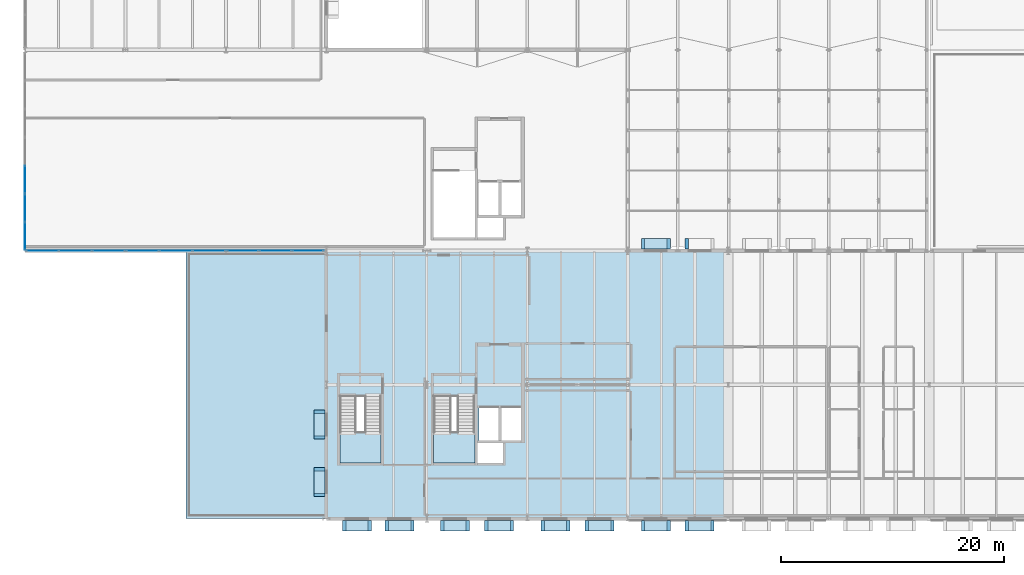
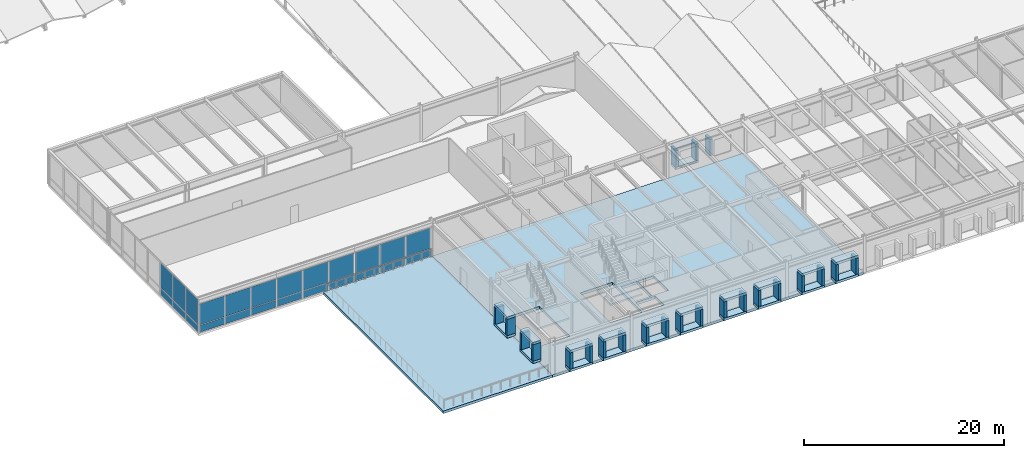
# One storey, part 102 of 142: 69 plates, 4 slabs, 6 elements without a shape of their own.
"""IFC4 building model written with IfcOpenShell, lengths in metres."""

from ifc_helpers import new_model, si_unit, direction, frame, origin, origin_2d, place, context, subcontext, project, spatial, polyline, rectangle, outline, extrude, material, layer, layer_set, type_object, element, aggregate, save


model = new_model("IFC4")

# Units and contexts
model_context = context("Model", 3, precision=1e-05, world=origin(), true_north=direction((0.0, 1.0)))
body_context = subcontext(model_context, "Body", "Model", "MODEL_VIEW")
ifc_project = project(units=[si_unit("LENGTHUNIT", "METRE"), si_unit("AREAUNIT", "SQUARE_METRE"), si_unit("VOLUMEUNIT", "CUBIC_METRE"), si_unit("PLANEANGLEUNIT", "RADIAN"), si_unit("MASSUNIT", "GRAM", prefix="KILO")], contexts=[model_context])

# Site, building, storey
site_placement = place(None, origin())
site = spatial("IfcSite", under=ifc_project, at=site_placement, CompositionType="ELEMENT")
building_placement = place(site_placement, origin())
building = spatial("IfcBuilding", under=site, at=building_placement, Name="Montelvaro Courts of Justice", CompositionType="ELEMENT")
storey_placement = place(building_placement, frame((0.0, 0.0, 14.39990234375)))
storey = spatial("IfcBuildingStorey", under=building, at=storey_placement, Name="L03", CompositionType="ELEMENT", Elevation=14.39990234375)

# Curtain wall, plates
ifc_material_1 = material(Name="Anodised aluminium EN AW-6063", Category="aluminium")
ifc_layer_1 = layer(ifc_material_1, 0.159912109375)
ifc_layer_set_1 = layer_set([ifc_layer_1], Name="Anodised aluminium EN AW-6063")
curtain_wall_type_1 = type_object("IfcCurtainWallType", Name="CurtainWall_28_896x418", PredefinedType="USERDEFINED", material=ifc_layer_set_1)
curtain_wall_1_placement = place(storey_placement, origin())
curtain_wall_1 = element("IfcCurtainWall", 1, at=curtain_wall_1_placement, inside=storey, type_object=curtain_wall_type_1, Name="Curtain Wall CW-28 (L03)", ObjectType="CURTAIN WALL", PredefinedType="USERDEFINED")
ifc_material_2 = material(Name="Low-E solar control double glazing", Category="glass")
ifc_layer_2 = layer(ifc_material_2, 0.028076171875)
ifc_layer_set_2 = layer_set([ifc_layer_2], Name="Low-E solar control double glazing")
plate_type_1 = type_object("IfcPlateType", Name="CurtainWall_Glazed_Panel_28", PredefinedType="CURTAIN_PANEL", material=ifc_layer_set_2)
plate_1_placement = place(storey_placement, frame((19.549560546875, 24.0, 0.06005859375), z_axis=(0.0, 0.0, 1.0), x_axis=(1.0, 0.0, 0.0)))
plate_1 = element("IfcPlate", 2, at=plate_1_placement, type_object=plate_type_1, Name="CW-28 panel 1.1", PredefinedType="CURTAIN_PANEL", context=body_context, shape_type="SweptSolid", body=[
    extrude(rectangle(XDim=2.88916015625, YDim=0.028076171875, at=origin_2d()), origin(), (0.0, 0.0, 1.0), 0.860107421875),
])
plate_2_placement = place(storey_placement, frame((19.549560546875, 24.0, 0.97998046875), z_axis=(0.0, 0.0, 1.0), x_axis=(1.0, 0.0, 0.0)))
plate_2 = element("IfcPlate", 3, at=plate_2_placement, type_object=plate_type_1, Name="CW-28 panel 1.2", PredefinedType="CURTAIN_PANEL", context=body_context, shape_type="SweptSolid", body=[
    extrude(rectangle(XDim=2.88916015625, YDim=0.028076171875, at=origin_2d()), origin(), (0.0, 0.0, 1.0), 2.554931640625),
])
plate_3_placement = place(storey_placement, frame((22.52001953125, 24.0, 0.06005859375), z_axis=(0.0, 0.0, 1.0), x_axis=(1.0, 0.0, 0.0)))
plate_3 = element("IfcPlate", 4, at=plate_3_placement, type_object=plate_type_1, Name="CW-28 panel 2.1", PredefinedType="CURTAIN_PANEL", context=body_context, shape_type="SweptSolid", body=[
    extrude(rectangle(XDim=2.921630859375, YDim=0.028076171875, at=origin_2d()), origin(), (0.0, 0.0, 1.0), 0.860107421875),
])
plate_4_placement = place(storey_placement, frame((22.52001953125, 24.0, 0.97998046875), z_axis=(0.0, 0.0, 1.0), x_axis=(1.0, 0.0, 0.0)))
plate_4 = element("IfcPlate", 5, at=plate_4_placement, type_object=plate_type_1, Name="CW-28 panel 2.2", PredefinedType="CURTAIN_PANEL", context=body_context, shape_type="SweptSolid", body=[
    extrude(rectangle(XDim=2.921630859375, YDim=0.028076171875, at=origin_2d()), origin(), (0.0, 0.0, 1.0), 2.554931640625),
])
plate_5_placement = place(storey_placement, frame((25.490478515625, 24.0, 0.06005859375), z_axis=(0.0, 0.0, 1.0), x_axis=(1.0, 0.0, 0.0)))
plate_5 = element("IfcPlate", 6, at=plate_5_placement, type_object=plate_type_1, Name="CW-28 panel 3.1", PredefinedType="CURTAIN_PANEL", context=body_context, shape_type="SweptSolid", body=[
    extrude(rectangle(XDim=2.88916015625, YDim=0.028076171875, at=origin_2d()), origin(), (0.0, 0.0, 1.0), 0.860107421875),
])
plate_6_placement = place(storey_placement, frame((25.490478515625, 24.0, 0.97998046875), z_axis=(0.0, 0.0, 1.0), x_axis=(1.0, 0.0, 0.0)))
plate_6 = element("IfcPlate", 7, at=plate_6_placement, type_object=plate_type_1, Name="CW-28 panel 3.2", PredefinedType="CURTAIN_PANEL", context=body_context, shape_type="SweptSolid", body=[
    extrude(rectangle(XDim=2.88916015625, YDim=0.028076171875, at=origin_2d()), origin(), (0.0, 0.0, 1.0), 2.554931640625),
])
aggregate(curtain_wall_1, [plate_1, plate_2, plate_3, plate_4, plate_5, plate_6])

ifc_layer_3 = layer(ifc_material_1, 0.159912109375)
ifc_layer_set_3 = layer_set([ifc_layer_3], Name="Anodised aluminium EN AW-6063")
curtain_wall_type_2 = type_object("IfcCurtainWallType", Name="CurtainWall_31_900x418", PredefinedType="USERDEFINED", material=ifc_layer_set_3)
curtain_wall_2_placement = place(storey_placement, origin())
curtain_wall_2 = element("IfcCurtainWall", 8, at=curtain_wall_2_placement, inside=storey, type_object=curtain_wall_type_2, Name="Curtain Wall CW-31 (L03)", ObjectType="CURTAIN WALL", PredefinedType="USERDEFINED")
plate_7_placement = place(storey_placement, frame((28.518798828125, 24.0, 0.06005859375), z_axis=(0.0, 0.0, 1.0), x_axis=(1.0, 0.0, 0.0)))
plate_7 = element("IfcPlate", 9, at=plate_7_placement, type_object=plate_type_1, Name="CW-31 panel 1.1", PredefinedType="CURTAIN_PANEL", context=body_context, shape_type="SweptSolid", body=[
    extrude(rectangle(XDim=2.887451171875, YDim=0.028076171875, at=origin_2d()), origin(), (0.0, 0.0, 1.0), 0.860107421875),
])
plate_8_placement = place(storey_placement, frame((28.518798828125, 24.0, 0.97998046875), z_axis=(0.0, 0.0, 1.0), x_axis=(1.0, 0.0, 0.0)))
plate_8 = element("IfcPlate", 10, at=plate_8_placement, type_object=plate_type_1, Name="CW-31 panel 1.2", PredefinedType="CURTAIN_PANEL", context=body_context, shape_type="SweptSolid", body=[
    extrude(rectangle(XDim=2.887451171875, YDim=0.028076171875, at=origin_2d()), origin(), (0.0, 0.0, 1.0), 2.554931640625),
])
plate_9_placement = place(storey_placement, frame((31.5, 24.0, 0.06005859375), z_axis=(0.0, 0.0, 1.0), x_axis=(1.0, 0.0, 0.0)))
plate_9 = element("IfcPlate", 11, at=plate_9_placement, type_object=plate_type_1, Name="CW-31 panel 2.1", PredefinedType="CURTAIN_PANEL", context=body_context, shape_type="SweptSolid", body=[
    extrude(rectangle(XDim=2.925048828125, YDim=0.028076171875, at=origin_2d()), origin(), (0.0, 0.0, 1.0), 0.860107421875),
])
plate_10_placement = place(storey_placement, frame((31.5, 24.0, 0.97998046875), z_axis=(0.0, 0.0, 1.0), x_axis=(1.0, 0.0, 0.0)))
plate_10 = element("IfcPlate", 12, at=plate_10_placement, type_object=plate_type_1, Name="CW-31 panel 2.2", PredefinedType="CURTAIN_PANEL", context=body_context, shape_type="SweptSolid", body=[
    extrude(rectangle(XDim=2.925048828125, YDim=0.028076171875, at=origin_2d()), origin(), (0.0, 0.0, 1.0), 2.554931640625),
])
plate_11_placement = place(storey_placement, frame((34.481201171875, 24.0, 0.06005859375), z_axis=(0.0, 0.0, 1.0), x_axis=(1.0, 0.0, 0.0)))
plate_11 = element("IfcPlate", 13, at=plate_11_placement, type_object=plate_type_1, Name="CW-31 panel 3.1", PredefinedType="CURTAIN_PANEL", context=body_context, shape_type="SweptSolid", body=[
    extrude(rectangle(XDim=2.887451171875, YDim=0.028076171875, at=origin_2d()), origin(), (0.0, 0.0, 1.0), 0.860107421875),
])
plate_12_placement = place(storey_placement, frame((34.481201171875, 24.0, 0.97998046875), z_axis=(0.0, 0.0, 1.0), x_axis=(1.0, 0.0, 0.0)))
plate_12 = element("IfcPlate", 14, at=plate_12_placement, type_object=plate_type_1, Name="CW-31 panel 3.2", PredefinedType="CURTAIN_PANEL", context=body_context, shape_type="SweptSolid", body=[
    extrude(rectangle(XDim=2.887451171875, YDim=0.028076171875, at=origin_2d()), origin(), (0.0, 0.0, 1.0), 2.554931640625),
])
aggregate(curtain_wall_2, [plate_7, plate_8, plate_9, plate_10, plate_11, plate_12])

ifc_layer_4 = layer(ifc_material_1, 0.159912109375)
ifc_layer_set_4 = layer_set([ifc_layer_4], Name="Anodised aluminium EN AW-6063")
curtain_wall_type_3 = type_object("IfcCurtainWallType", Name="CurtainWall_32_883x418", PredefinedType="USERDEFINED", material=ifc_layer_set_4)
curtain_wall_3_placement = place(storey_placement, origin())
curtain_wall_3 = element("IfcCurtainWall", 15, at=curtain_wall_3_placement, inside=storey, type_object=curtain_wall_type_3, Name="Curtain Wall CW-32 (L03)", ObjectType="CURTAIN WALL", PredefinedType="USERDEFINED")
plate_13_placement = place(storey_placement, frame((37.490966796875, 24.0, 0.0751953125), z_axis=(0.0, 0.0, 1.0), x_axis=(1.0, 0.0, 0.0)))
plate_13 = element("IfcPlate", 16, at=plate_13_placement, type_object=plate_type_1, Name="CW-32 panel 1.1", PredefinedType="CURTAIN_PANEL", context=body_context, shape_type="SweptSolid", body=[
    extrude(rectangle(XDim=2.831787109375, YDim=0.028076171875, at=origin_2d()), origin(), (0.0, 0.0, 1.0), 0.83740234375),
])
plate_14_placement = place(storey_placement, frame((37.490966796875, 24.0, 0.98779296875), z_axis=(0.0, 0.0, 1.0), x_axis=(1.0, 0.0, 0.0)))
plate_14 = element("IfcPlate", 17, at=plate_14_placement, type_object=plate_type_1, Name="CW-32 panel 1.2", PredefinedType="CURTAIN_PANEL", context=body_context, shape_type="SweptSolid", body=[
    extrude(rectangle(XDim=2.831787109375, YDim=0.028076171875, at=origin_2d()), origin(), (0.0, 0.0, 1.0), 2.532470703125),
])
plate_15_placement = place(storey_placement, frame((40.41650390625, 24.0, 0.0751953125), z_axis=(0.0, 0.0, 1.0), x_axis=(1.0, 0.0, 0.0)))
plate_15 = element("IfcPlate", 18, at=plate_15_placement, type_object=plate_type_1, Name="CW-32 panel 2.1", PredefinedType="CURTAIN_PANEL", context=body_context, shape_type="SweptSolid", body=[
    extrude(rectangle(XDim=2.869384765625, YDim=0.028076171875, at=origin_2d()), origin(), (0.0, 0.0, 1.0), 0.83740234375),
])
plate_16_placement = place(storey_placement, frame((40.41650390625, 24.0, 0.98779296875), z_axis=(0.0, 0.0, 1.0), x_axis=(1.0, 0.0, 0.0)))
plate_16 = element("IfcPlate", 19, at=plate_16_placement, type_object=plate_type_1, Name="CW-32 panel 2.2", PredefinedType="CURTAIN_PANEL", context=body_context, shape_type="SweptSolid", body=[
    extrude(rectangle(XDim=2.869384765625, YDim=0.028076171875, at=origin_2d()), origin(), (0.0, 0.0, 1.0), 2.532470703125),
])
plate_17_placement = place(storey_placement, frame((43.342041015625, 24.0, 0.0751953125), z_axis=(0.0, 0.0, 1.0), x_axis=(1.0, 0.0, 0.0)))
plate_17 = element("IfcPlate", 20, at=plate_17_placement, type_object=plate_type_1, Name="CW-32 panel 3.1", PredefinedType="CURTAIN_PANEL", context=body_context, shape_type="SweptSolid", body=[
    extrude(rectangle(XDim=2.831787109375, YDim=0.028076171875, at=origin_2d()), origin(), (0.0, 0.0, 1.0), 0.83740234375),
])
plate_18_placement = place(storey_placement, frame((43.342041015625, 24.0, 0.98779296875), z_axis=(0.0, 0.0, 1.0), x_axis=(1.0, 0.0, 0.0)))
plate_18 = element("IfcPlate", 21, at=plate_18_placement, type_object=plate_type_1, Name="CW-32 panel 3.2", PredefinedType="CURTAIN_PANEL", context=body_context, shape_type="SweptSolid", body=[
    extrude(rectangle(XDim=2.831787109375, YDim=0.028076171875, at=origin_2d()), origin(), (0.0, 0.0, 1.0), 2.532470703125),
])
aggregate(curtain_wall_3, [plate_13, plate_14, plate_15, plate_16, plate_17, plate_18])

ifc_layer_5 = layer(ifc_material_1, 0.159912109375)
ifc_layer_set_5 = layer_set([ifc_layer_5], Name="Anodised aluminium EN AW-6063")
curtain_wall_type_4 = type_object("IfcCurtainWallType", Name="CurtainWall_29_1770x418", PredefinedType="USERDEFINED", material=ifc_layer_set_5)
curtain_wall_4_placement = place(storey_placement, origin())
curtain_wall_4 = element("IfcCurtainWall", 22, at=curtain_wall_4_placement, inside=storey, type_object=curtain_wall_type_4, Name="Curtain Wall CW-29 (L03)", ObjectType="CURTAIN WALL", PredefinedType="USERDEFINED")
plate_19_placement = place(storey_placement, frame((18.0, 30.36865234375, 0.0751953125), z_axis=(0.0, 0.0, 1.0), x_axis=(0.0, -1.0, 0.0)))
plate_19 = element("IfcPlate", 23, at=plate_19_placement, type_object=plate_type_1, Name="CW-29 panel 5.1", PredefinedType="CURTAIN_PANEL", context=body_context, shape_type="SweptSolid", body=[
    extrude(rectangle(XDim=2.45654296875, YDim=0.028076171875, at=origin_2d()), origin(), (0.0, 0.0, 1.0), 0.83740234375),
])
plate_20_placement = place(storey_placement, frame((18.0, 30.36865234375, 0.987548828125), z_axis=(0.0, 0.0, 1.0), x_axis=(0.0, -1.0, 0.0)))
plate_20 = element("IfcPlate", 24, at=plate_20_placement, type_object=plate_type_1, Name="CW-29 panel 5.2", PredefinedType="CURTAIN_PANEL", context=body_context, shape_type="SweptSolid", body=[
    extrude(rectangle(XDim=2.45654296875, YDim=0.028076171875, at=origin_2d()), origin(), (0.0, 0.0, 1.0), 3.0576171875),
])
plate_21_placement = place(storey_placement, frame((18.0, 27.837158203125, 0.0751953125), z_axis=(0.0, 0.0, 1.0), x_axis=(0.0, -1.0, 0.0)))
plate_21 = element("IfcPlate", 25, at=plate_21_placement, type_object=plate_type_1, Name="CW-29 panel 6.1", PredefinedType="CURTAIN_PANEL", context=body_context, shape_type="SweptSolid", body=[
    extrude(rectangle(XDim=2.45654296875, YDim=0.028076171875, at=origin_2d()), origin(), (0.0, 0.0, 1.0), 0.83740234375),
])
plate_22_placement = place(storey_placement, frame((18.0, 27.837158203125, 0.987548828125), z_axis=(0.0, 0.0, 1.0), x_axis=(0.0, -1.0, 0.0)))
plate_22 = element("IfcPlate", 26, at=plate_22_placement, type_object=plate_type_1, Name="CW-29 panel 6.2", PredefinedType="CURTAIN_PANEL", context=body_context, shape_type="SweptSolid", body=[
    extrude(rectangle(XDim=2.45654296875, YDim=0.028076171875, at=origin_2d()), origin(), (0.0, 0.0, 1.0), 3.0576171875),
])
plate_23_placement = place(storey_placement, frame((18.0, 25.324462890625, 0.0751953125), z_axis=(0.0, 0.0, 1.0), x_axis=(0.0, -1.0, 0.0)))
plate_23 = element("IfcPlate", 27, at=plate_23_placement, type_object=plate_type_1, Name="CW-29 panel 7.1", PredefinedType="CURTAIN_PANEL", context=body_context, shape_type="SweptSolid", body=[
    extrude(rectangle(XDim=2.4189453125, YDim=0.028076171875, at=origin_2d()), origin(), (0.0, 0.0, 1.0), 0.83740234375),
])
plate_24_placement = place(storey_placement, frame((18.0, 25.324462890625, 0.987548828125), z_axis=(0.0, 0.0, 1.0), x_axis=(0.0, -1.0, 0.0)))
plate_24 = element("IfcPlate", 28, at=plate_24_placement, type_object=plate_type_1, Name="CW-29 panel 7.2", PredefinedType="CURTAIN_PANEL", context=body_context, shape_type="SweptSolid", body=[
    extrude(rectangle(XDim=2.4189453125, YDim=0.028076171875, at=origin_2d()), origin(), (0.0, 0.0, 1.0), 3.0576171875),
])
aggregate(curtain_wall_4, [plate_19, plate_20, plate_21, plate_22, plate_23, plate_24])

# Slab
ifc_material_3 = material(Name="Concrete C35/45", Category="concrete")
ifc_layer_6 = layer(ifc_material_3, 0.320068359375)
ifc_layer_set_6 = layer_set([ifc_layer_6], Name="Concrete C35/45")
slab_type_1 = type_object("IfcSlabType", Name="FloorSlab_V5_320", PredefinedType="FLOOR", material=ifc_layer_set_6)
slab_1_placement = place(storey_placement, frame((0.0, 0.0, -0.31982421875)))
element("IfcSlab", 29, at=slab_1_placement, inside=storey, type_object=slab_type_1, Name="Structural Slab SF-05 L03", PredefinedType="FLOOR", context=body_context, shape_type="SweptSolid", body=[
    extrude(outline(polyline([(45.0, 0.0), (80.949951171875, 0.0), (80.949951171875, 24.0), (45.0, 24.0), (45.0, 0.0)]), holes=[polyline([(54.60009765625, 5.0), (58.300048828125, 5.0), (58.300048828125, 11.0), (54.60009765625, 11.0), (54.60009765625, 5.0)]), polyline([(58.5400390625, 5.0), (60.800048828125, 5.0), (60.800048828125, 6.760009765625), (58.5400390625, 6.760009765625), (58.5400390625, 5.0)]), polyline([(58.64990234375, 7.0), (60.5, 7.0), (60.5, 9.89990234375), (58.64990234375, 9.89990234375), (58.64990234375, 7.0)]), polyline([(60.60009765625, 7.0), (62.449951171875, 7.0), (62.449951171875, 9.89990234375), (60.60009765625, 9.89990234375), (60.60009765625, 7.0)]), polyline([(46.199951171875, 5.0), (49.89990234375, 5.0), (49.89990234375, 11.0), (46.199951171875, 11.0), (46.199951171875, 5.0)])]), origin(), (0.0, 0.0, 1.0), 0.31982421875),
])

# Plates
ifc_material_4 = material(Name="White mineral precast concrete C45/55", Category="concrete")
ifc_layer_7 = layer(ifc_material_4, 0.300048828125)
ifc_layer_set_7 = layer_set([ifc_layer_7], Name="White mineral precast concrete C45/55")
plate_type_2 = type_object("IfcPlateType", Name="PrecastSquareFrame_300x950", PredefinedType="SHEET", material=ifc_layer_set_7)
for number, where, z_axis, x_axis, name in (
    (30, (47.739990234375, -0.6201171875, 2.85009765625), (0.0, 0.0, 1.0), (1.0, 0.0, 0.0), "Graduated Square Window Frame PF-02 W-L03-149 TOP"),
    (31, (47.739990234375, -0.6201171875, 0.55029296875), (0.0, 0.0, 1.0), (1.0, 0.0, 0.0), "Graduated Square Window Frame PF-02 W-L03-149 BOT"),
):
    element("IfcPlate", number, at=place(storey_placement, frame(where, z_axis=z_axis, x_axis=x_axis)), inside=storey, type_object=plate_type_2, Name=name, PredefinedType="SHEET", context=body_context, shape_type="SweptSolid", body=[
        extrude(rectangle(XDim=2.60009765625, YDim=0.9599609375, at=origin_2d()), origin(), (0.0, 0.0, 1.0), 0.300048828125),
    ])
for number, where, z_axis, x_axis, name in (
    (32, (46.590087890625, -0.6201171875, 0.85009765625), (0.0, 0.0, 1.0), (1.0, 0.0, 0.0), "Graduated Square Window Frame PF-02 W-L03-149 L"),
    (33, (48.889892578125, -0.6201171875, 0.85009765625), (0.0, 0.0, 1.0), (1.0, 0.0, 0.0), "Graduated Square Window Frame PF-02 W-L03-149 R"),
):
    element("IfcPlate", number, at=place(storey_placement, frame(where, z_axis=z_axis, x_axis=x_axis)), inside=storey, type_object=plate_type_2, Name=name, PredefinedType="SHEET", context=body_context, shape_type="SweptSolid", body=[
        extrude(rectangle(XDim=0.300048828125, YDim=0.9599609375, at=origin_2d()), origin(), (0.0, 0.0, 1.0), 2.0),
    ])
for number, where, z_axis, x_axis, name in (
    (34, (51.56005859375, -0.6201171875, 2.85009765625), (0.0, 0.0, 1.0), (1.0, 0.0, 0.0), "Graduated Square Window Frame PF-02 W-L03-150 TOP"),
    (35, (51.56005859375, -0.6201171875, 0.55029296875), (0.0, 0.0, 1.0), (1.0, 0.0, 0.0), "Graduated Square Window Frame PF-02 W-L03-150 BOT"),
):
    element("IfcPlate", number, at=place(storey_placement, frame(where, z_axis=z_axis, x_axis=x_axis)), inside=storey, type_object=plate_type_2, Name=name, PredefinedType="SHEET", context=body_context, shape_type="SweptSolid", body=[
        extrude(rectangle(XDim=2.60009765625, YDim=0.9599609375, at=origin_2d()), origin(), (0.0, 0.0, 1.0), 0.300048828125),
    ])
for number, where, z_axis, x_axis, name in (
    (36, (50.409912109375, -0.6201171875, 0.85009765625), (0.0, 0.0, 1.0), (1.0, 0.0, 0.0), "Graduated Square Window Frame PF-02 W-L03-150 L"),
    (37, (52.7099609375, -0.6201171875, 0.85009765625), (0.0, 0.0, 1.0), (1.0, 0.0, 0.0), "Graduated Square Window Frame PF-02 W-L03-150 R"),
):
    element("IfcPlate", number, at=place(storey_placement, frame(where, z_axis=z_axis, x_axis=x_axis)), inside=storey, type_object=plate_type_2, Name=name, PredefinedType="SHEET", context=body_context, shape_type="SweptSolid", body=[
        extrude(rectangle(XDim=0.300048828125, YDim=0.9599609375, at=origin_2d()), origin(), (0.0, 0.0, 1.0), 2.0),
    ])
for number, where, z_axis, x_axis, name in (
    (38, (56.52392578125, -0.6201171875, 2.85009765625), (0.0, 0.0, 1.0), (1.0, 0.0, 0.0), "Graduated Square Window Frame PF-02 W-L03-151 TOP"),
    (39, (56.52392578125, -0.6201171875, 0.55029296875), (0.0, 0.0, 1.0), (1.0, 0.0, 0.0), "Graduated Square Window Frame PF-02 W-L03-151 BOT"),
):
    element("IfcPlate", number, at=place(storey_placement, frame(where, z_axis=z_axis, x_axis=x_axis)), inside=storey, type_object=plate_type_2, Name=name, PredefinedType="SHEET", context=body_context, shape_type="SweptSolid", body=[
        extrude(rectangle(XDim=2.60009765625, YDim=0.9599609375, at=origin_2d()), origin(), (0.0, 0.0, 1.0), 0.300048828125),
    ])
for number, where, z_axis, x_axis, name in (
    (40, (55.3740234375, -0.6201171875, 0.85009765625), (0.0, 0.0, 1.0), (1.0, 0.0, 0.0), "Graduated Square Window Frame PF-02 W-L03-151 L"),
    (41, (57.674072265625, -0.6201171875, 0.85009765625), (0.0, 0.0, 1.0), (1.0, 0.0, 0.0), "Graduated Square Window Frame PF-02 W-L03-151 R"),
):
    element("IfcPlate", number, at=place(storey_placement, frame(where, z_axis=z_axis, x_axis=x_axis)), inside=storey, type_object=plate_type_2, Name=name, PredefinedType="SHEET", context=body_context, shape_type="SweptSolid", body=[
        extrude(rectangle(XDim=0.300048828125, YDim=0.9599609375, at=origin_2d()), origin(), (0.0, 0.0, 1.0), 2.0),
    ])
for number, where, z_axis, x_axis, name in (
    (42, (60.47607421875, -0.6201171875, 2.85009765625), (0.0, 0.0, 1.0), (1.0, 0.0, 0.0), "Graduated Square Window Frame PF-02 W-L03-152 TOP"),
    (43, (60.47607421875, -0.6201171875, 0.55029296875), (0.0, 0.0, 1.0), (1.0, 0.0, 0.0), "Graduated Square Window Frame PF-02 W-L03-152 BOT"),
):
    element("IfcPlate", number, at=place(storey_placement, frame(where, z_axis=z_axis, x_axis=x_axis)), inside=storey, type_object=plate_type_2, Name=name, PredefinedType="SHEET", context=body_context, shape_type="SweptSolid", body=[
        extrude(rectangle(XDim=2.60009765625, YDim=0.9599609375, at=origin_2d()), origin(), (0.0, 0.0, 1.0), 0.300048828125),
    ])
for number, where, z_axis, x_axis, name in (
    (44, (59.325927734375, -0.6201171875, 0.85009765625), (0.0, 0.0, 1.0), (1.0, 0.0, 0.0), "Graduated Square Window Frame PF-02 W-L03-152 L"),
    (45, (61.6259765625, -0.6201171875, 0.85009765625), (0.0, 0.0, 1.0), (1.0, 0.0, 0.0), "Graduated Square Window Frame PF-02 W-L03-152 R"),
):
    element("IfcPlate", number, at=place(storey_placement, frame(where, z_axis=z_axis, x_axis=x_axis)), inside=storey, type_object=plate_type_2, Name=name, PredefinedType="SHEET", context=body_context, shape_type="SweptSolid", body=[
        extrude(rectangle(XDim=0.300048828125, YDim=0.9599609375, at=origin_2d()), origin(), (0.0, 0.0, 1.0), 2.0),
    ])
for number, where, z_axis, x_axis, name in (
    (46, (65.52392578125, -0.6201171875, 2.85009765625), (0.0, 0.0, 1.0), (1.0, 0.0, 0.0), "Graduated Square Window Frame PF-02 W-L03-153 TOP"),
    (47, (65.52392578125, -0.6201171875, 0.55029296875), (0.0, 0.0, 1.0), (1.0, 0.0, 0.0), "Graduated Square Window Frame PF-02 W-L03-153 BOT"),
):
    element("IfcPlate", number, at=place(storey_placement, frame(where, z_axis=z_axis, x_axis=x_axis)), inside=storey, type_object=plate_type_2, Name=name, PredefinedType="SHEET", context=body_context, shape_type="SweptSolid", body=[
        extrude(rectangle(XDim=2.60009765625, YDim=0.9599609375, at=origin_2d()), origin(), (0.0, 0.0, 1.0), 0.300048828125),
    ])
for number, where, z_axis, x_axis, name in (
    (48, (64.3740234375, -0.6201171875, 0.85009765625), (0.0, 0.0, 1.0), (1.0, 0.0, 0.0), "Graduated Square Window Frame PF-02 W-L03-153 L"),
    (49, (66.674072265625, -0.6201171875, 0.85009765625), (0.0, 0.0, 1.0), (1.0, 0.0, 0.0), "Graduated Square Window Frame PF-02 W-L03-153 R"),
):
    element("IfcPlate", number, at=place(storey_placement, frame(where, z_axis=z_axis, x_axis=x_axis)), inside=storey, type_object=plate_type_2, Name=name, PredefinedType="SHEET", context=body_context, shape_type="SweptSolid", body=[
        extrude(rectangle(XDim=0.300048828125, YDim=0.9599609375, at=origin_2d()), origin(), (0.0, 0.0, 1.0), 2.0),
    ])
for number, where, z_axis, x_axis, name in (
    (50, (69.47607421875, -0.6201171875, 2.85009765625), (0.0, 0.0, 1.0), (1.0, 0.0, 0.0), "Graduated Square Window Frame PF-02 W-L03-154 TOP"),
    (51, (69.47607421875, -0.6201171875, 0.55029296875), (0.0, 0.0, 1.0), (1.0, 0.0, 0.0), "Graduated Square Window Frame PF-02 W-L03-154 BOT"),
):
    element("IfcPlate", number, at=place(storey_placement, frame(where, z_axis=z_axis, x_axis=x_axis)), inside=storey, type_object=plate_type_2, Name=name, PredefinedType="SHEET", context=body_context, shape_type="SweptSolid", body=[
        extrude(rectangle(XDim=2.60009765625, YDim=0.9599609375, at=origin_2d()), origin(), (0.0, 0.0, 1.0), 0.300048828125),
    ])
for number, where, z_axis, x_axis, name in (
    (52, (68.325927734375, -0.6201171875, 0.85009765625), (0.0, 0.0, 1.0), (1.0, 0.0, 0.0), "Graduated Square Window Frame PF-02 W-L03-154 L"),
    (53, (70.6259765625, -0.6201171875, 0.85009765625), (0.0, 0.0, 1.0), (1.0, 0.0, 0.0), "Graduated Square Window Frame PF-02 W-L03-154 R"),
):
    element("IfcPlate", number, at=place(storey_placement, frame(where, z_axis=z_axis, x_axis=x_axis)), inside=storey, type_object=plate_type_2, Name=name, PredefinedType="SHEET", context=body_context, shape_type="SweptSolid", body=[
        extrude(rectangle(XDim=0.300048828125, YDim=0.9599609375, at=origin_2d()), origin(), (0.0, 0.0, 1.0), 2.0),
    ])
for number, where, z_axis, x_axis, name in (
    (54, (74.510009765625, -0.6201171875, 2.85009765625), (0.0, 0.0, 1.0), (1.0, 0.0, 0.0), "Graduated Square Window Frame PF-02 W-L03-155 TOP"),
    (55, (74.510009765625, -0.6201171875, 0.55029296875), (0.0, 0.0, 1.0), (1.0, 0.0, 0.0), "Graduated Square Window Frame PF-02 W-L03-155 BOT"),
):
    element("IfcPlate", number, at=place(storey_placement, frame(where, z_axis=z_axis, x_axis=x_axis)), inside=storey, type_object=plate_type_2, Name=name, PredefinedType="SHEET", context=body_context, shape_type="SweptSolid", body=[
        extrude(rectangle(XDim=2.60009765625, YDim=0.9599609375, at=origin_2d()), origin(), (0.0, 0.0, 1.0), 0.300048828125),
    ])
for number, where, z_axis, x_axis, name in (
    (56, (73.360107421875, -0.6201171875, 0.85009765625), (0.0, 0.0, 1.0), (1.0, 0.0, 0.0), "Graduated Square Window Frame PF-02 W-L03-155 L"),
    (57, (75.659912109375, -0.6201171875, 0.85009765625), (0.0, 0.0, 1.0), (1.0, 0.0, 0.0), "Graduated Square Window Frame PF-02 W-L03-155 R"),
):
    element("IfcPlate", number, at=place(storey_placement, frame(where, z_axis=z_axis, x_axis=x_axis)), inside=storey, type_object=plate_type_2, Name=name, PredefinedType="SHEET", context=body_context, shape_type="SweptSolid", body=[
        extrude(rectangle(XDim=0.300048828125, YDim=0.9599609375, at=origin_2d()), origin(), (0.0, 0.0, 1.0), 2.0),
    ])
for number, where, z_axis, x_axis, name in (
    (58, (78.43994140625, -0.6201171875, 2.85009765625), (0.0, 0.0, 1.0), (1.0, 0.0, 0.0), "Graduated Square Window Frame PF-02 W-L03-156 TOP"),
    (59, (78.43994140625, -0.6201171875, 0.55029296875), (0.0, 0.0, 1.0), (1.0, 0.0, 0.0), "Graduated Square Window Frame PF-02 W-L03-156 BOT"),
):
    element("IfcPlate", number, at=place(storey_placement, frame(where, z_axis=z_axis, x_axis=x_axis)), inside=storey, type_object=plate_type_2, Name=name, PredefinedType="SHEET", context=body_context, shape_type="SweptSolid", body=[
        extrude(rectangle(XDim=2.60009765625, YDim=0.9599609375, at=origin_2d()), origin(), (0.0, 0.0, 1.0), 0.300048828125),
    ])
for number, where, z_axis, x_axis, name in (
    (60, (77.2900390625, -0.6201171875, 0.85009765625), (0.0, 0.0, 1.0), (1.0, 0.0, 0.0), "Graduated Square Window Frame PF-02 W-L03-156 L"),
    (61, (79.590087890625, -0.6201171875, 0.85009765625), (0.0, 0.0, 1.0), (1.0, 0.0, 0.0), "Graduated Square Window Frame PF-02 W-L03-156 R"),
    (62, (77.2900390625, 24.6201171875, 0.85009765625), (0.0, 0.0, 1.0), (-1.0, 0.0, 0.0), "Graduated Square Window Frame PF-02 W-L03-157 R"),
):
    element("IfcPlate", number, at=place(storey_placement, frame(where, z_axis=z_axis, x_axis=x_axis)), inside=storey, type_object=plate_type_2, Name=name, PredefinedType="SHEET", context=body_context, shape_type="SweptSolid", body=[
        extrude(rectangle(XDim=0.300048828125, YDim=0.9599609375, at=origin_2d()), origin(), (0.0, 0.0, 1.0), 2.0),
    ])
for number, where, z_axis, x_axis, name in (
    (63, (74.510009765625, 24.6201171875, 2.85009765625), (0.0, 0.0, 1.0), (-1.0, 0.0, 0.0), "Graduated Square Window Frame PF-02 W-L03-158 TOP"),
    (64, (74.510009765625, 24.6201171875, 0.55029296875), (0.0, 0.0, 1.0), (-1.0, 0.0, 0.0), "Graduated Square Window Frame PF-02 W-L03-158 BOT"),
):
    element("IfcPlate", number, at=place(storey_placement, frame(where, z_axis=z_axis, x_axis=x_axis)), inside=storey, type_object=plate_type_2, Name=name, PredefinedType="SHEET", context=body_context, shape_type="SweptSolid", body=[
        extrude(rectangle(XDim=2.60009765625, YDim=0.9599609375, at=origin_2d()), origin(), (0.0, 0.0, 1.0), 0.300048828125),
    ])
for number, where, z_axis, x_axis, name in (
    (65, (75.659912109375, 24.6201171875, 0.85009765625), (0.0, 0.0, 1.0), (-1.0, 0.0, 0.0), "Graduated Square Window Frame PF-02 W-L03-158 L"),
    (66, (73.360107421875, 24.6201171875, 0.85009765625), (0.0, 0.0, 1.0), (-1.0, 0.0, 0.0), "Graduated Square Window Frame PF-02 W-L03-158 R"),
):
    element("IfcPlate", number, at=place(storey_placement, frame(where, z_axis=z_axis, x_axis=x_axis)), inside=storey, type_object=plate_type_2, Name=name, PredefinedType="SHEET", context=body_context, shape_type="SweptSolid", body=[
        extrude(rectangle(XDim=0.300048828125, YDim=0.9599609375, at=origin_2d()), origin(), (0.0, 0.0, 1.0), 2.0),
    ])
for number, where, z_axis, x_axis, name in (
    (67, (44.3798828125, 8.419921875, 2.85009765625), (0.0, 0.0, 1.0), (0.0, -1.0, 0.0), "Graduated Square Window Frame PF-02 W-L03-159 TOP"),
    (68, (44.3798828125, 8.419921875, 0.55029296875), (0.0, 0.0, 1.0), (0.0, -1.0, 0.0), "Graduated Square Window Frame PF-02 W-L03-159 BOT"),
):
    element("IfcPlate", number, at=place(storey_placement, frame(where, z_axis=z_axis, x_axis=x_axis)), inside=storey, type_object=plate_type_2, Name=name, PredefinedType="SHEET", context=body_context, shape_type="SweptSolid", body=[
        extrude(rectangle(XDim=2.60009765625, YDim=0.9599609375, at=origin_2d()), origin(), (0.0, 0.0, 1.0), 0.300048828125),
    ])
for number, where, z_axis, x_axis, name in (
    (69, (44.3798828125, 9.570068359375, 0.85009765625), (0.0, 0.0, 1.0), (0.0, -1.0, 0.0), "Graduated Square Window Frame PF-02 W-L03-159 L"),
    (70, (44.3798828125, 7.27001953125, 0.85009765625), (0.0, 0.0, 1.0), (0.0, -1.0, 0.0), "Graduated Square Window Frame PF-02 W-L03-159 R"),
):
    element("IfcPlate", number, at=place(storey_placement, frame(where, z_axis=z_axis, x_axis=x_axis)), inside=storey, type_object=plate_type_2, Name=name, PredefinedType="SHEET", context=body_context, shape_type="SweptSolid", body=[
        extrude(rectangle(XDim=0.300048828125, YDim=0.9599609375, at=origin_2d()), origin(), (0.0, 0.0, 1.0), 2.0),
    ])
for number, where, z_axis, x_axis, name in (
    (71, (44.3798828125, 3.280029296875, 2.85009765625), (0.0, 0.0, 1.0), (0.0, -1.0, 0.0), "Graduated Square Window Frame PF-02 W-L03-160 TOP"),
    (72, (44.3798828125, 3.280029296875, 0.55029296875), (0.0, 0.0, 1.0), (0.0, -1.0, 0.0), "Graduated Square Window Frame PF-02 W-L03-160 BOT"),
):
    element("IfcPlate", number, at=place(storey_placement, frame(where, z_axis=z_axis, x_axis=x_axis)), inside=storey, type_object=plate_type_2, Name=name, PredefinedType="SHEET", context=body_context, shape_type="SweptSolid", body=[
        extrude(rectangle(XDim=2.60009765625, YDim=0.9599609375, at=origin_2d()), origin(), (0.0, 0.0, 1.0), 0.300048828125),
    ])
for number, where, z_axis, x_axis, name in (
    (73, (44.3798828125, 4.429931640625, 0.85009765625), (0.0, 0.0, 1.0), (0.0, -1.0, 0.0), "Graduated Square Window Frame PF-02 W-L03-160 L"),
    (74, (44.3798828125, 2.1298828125, 0.85009765625), (0.0, 0.0, 1.0), (0.0, -1.0, 0.0), "Graduated Square Window Frame PF-02 W-L03-160 R"),
):
    element("IfcPlate", number, at=place(storey_placement, frame(where, z_axis=z_axis, x_axis=x_axis)), inside=storey, type_object=plate_type_2, Name=name, PredefinedType="SHEET", context=body_context, shape_type="SweptSolid", body=[
        extrude(rectangle(XDim=0.300048828125, YDim=0.9599609375, at=origin_2d()), origin(), (0.0, 0.0, 1.0), 2.0),
    ])

# Stair, slab
stair_type_1 = type_object("IfcStairType", Name="ProtectedStair_155", PredefinedType="HALF_TURN_STAIR", material=ifc_material_3)
stair_1_placement = place(storey_placement, origin())
stair_1 = element("IfcStair", 75, at=stair_1_placement, inside=storey, type_object=stair_type_1, Name="Protected Stair ST-K1-L03", PredefinedType="HALF_TURN_STAIR")
ifc_layer_8 = layer(ifc_material_3, 0.199951171875)
ifc_layer_set_8 = layer_set([ifc_layer_8], Name="Concrete C35/45")
slab_type_2 = type_object("IfcSlabType", Name="StairLanding_200", PredefinedType="LANDING", material=ifc_layer_set_8)
slab_2_placement = place(storey_placement, frame((0.0, 0.0, 2.050048828125)))
slab_2 = element("IfcSlab", 76, at=slab_2_placement, type_object=slab_type_2, Name="ST-K1-L03 landing 1", PredefinedType="LANDING", context=body_context, shape_type="SweptSolid", body=[
    extrude(outline(polyline([(54.60009765625, 5.0), (58.300048828125, 5.0), (58.300048828125, 7.735107421875), (54.60009765625, 7.735107421875), (54.60009765625, 5.0)])), origin(), (0.0, 0.0, 1.0), 0.199951171875),
])
aggregate(stair_1, [slab_2])

stair_type_2 = type_object("IfcStairType", Name="ProtectedStair_145", PredefinedType="HALF_TURN_STAIR", material=ifc_material_3)
stair_2_placement = place(storey_placement, origin())
stair_2 = element("IfcStair", 77, at=stair_2_placement, inside=storey, type_object=stair_type_2, Name="Protected Stair ST-E1-L03", PredefinedType="HALF_TURN_STAIR")
slab_3_placement = place(storey_placement, frame((0.0, 0.0, 2.050048828125)))
slab_3 = element("IfcSlab", 78, at=slab_3_placement, type_object=slab_type_2, Name="ST-E1-L03 landing 1", PredefinedType="LANDING", context=body_context, shape_type="SweptSolid", body=[
    extrude(outline(polyline([(46.199951171875, 5.0), (49.89990234375, 5.0), (49.89990234375, 7.735107421875), (46.199951171875, 7.735107421875), (46.199951171875, 5.0)])), origin(), (0.0, 0.0, 1.0), 0.199951171875),
])
aggregate(stair_2, [slab_3])

# Slab
ifc_layer_9 = layer(ifc_material_3, 0.300048828125)
ifc_layer_set_9 = layer_set([ifc_layer_9], Name="Concrete C35/45")
slab_type_3 = type_object("IfcSlabType", Name="TerraceSlab_300", PredefinedType="FLOOR", material=ifc_layer_set_9)
slab_4_placement = place(storey_placement, frame((0.0, 0.0, -0.2998046875)))
element("IfcSlab", 79, at=slab_4_placement, inside=storey, type_object=slab_type_3, Name="Lower Bar West Overhang Civic Terrace", PredefinedType="FLOOR", context=body_context, shape_type="SweptSolid", body=[
    extrude(outline(polyline([(32.39990234375, 0.0), (45.0, 0.0), (45.0, 24.0), (32.39990234375, 24.0), (32.39990234375, 0.0)])), origin(), (0.0, 0.0, 1.0), 0.2998046875),
])

save(model, "model.ifc")
